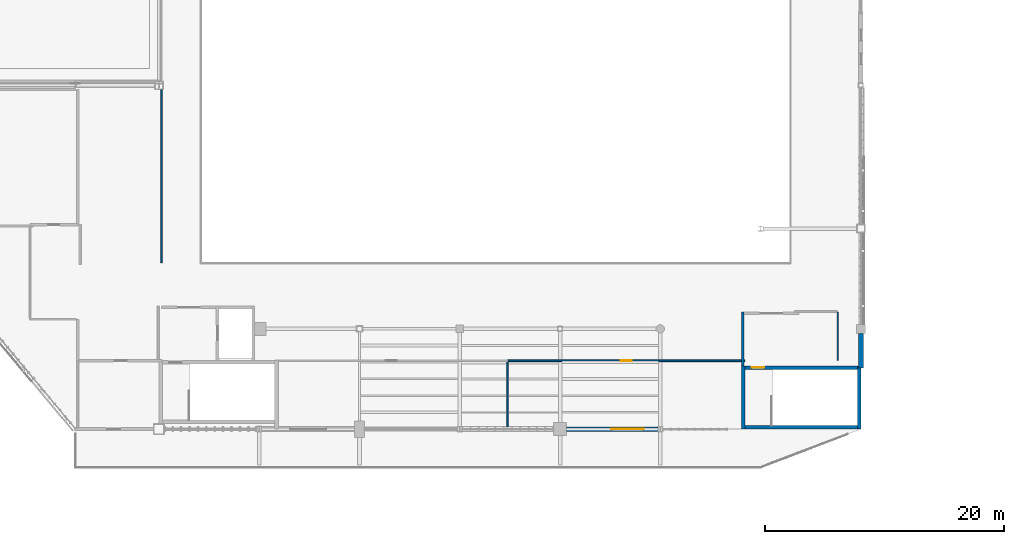
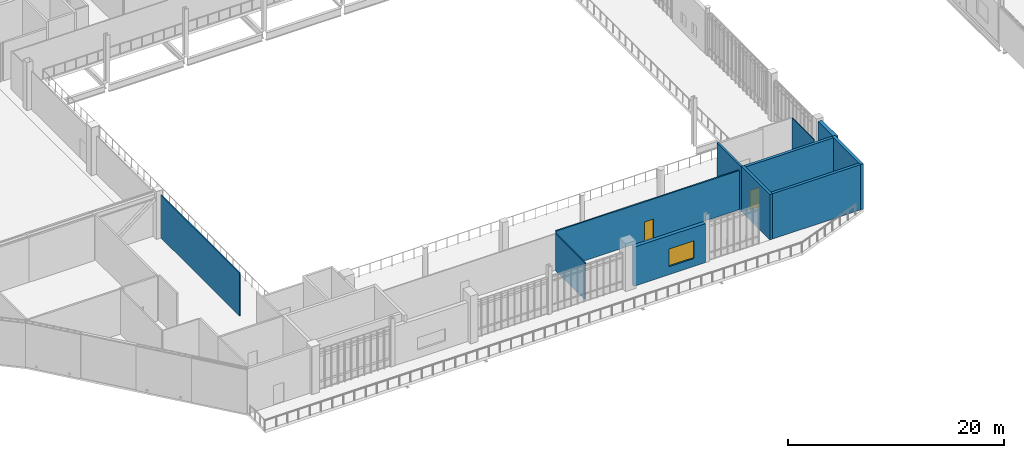
# One storey, part 113 of 135: 11 walls, 2 doors, 1 window, 3 openings.
"""IFC4 building model written with IfcOpenShell, lengths in metres."""

from ifc_helpers import new_model, si_unit, direction, frame, frame_2d, origin, place, context, subcontext, project, spatial, rectangle, extrude, material, layer, layer_set, type_object, element, fill, save


model = new_model("IFC4")

# Units and contexts
model_context = context("Model", 3, precision=1e-05, world=origin(), true_north=direction((0.0, 1.0)))
body_context = subcontext(model_context, "Body", "Model", "MODEL_VIEW")
ifc_project = project(units=[si_unit("LENGTHUNIT", "METRE"), si_unit("AREAUNIT", "SQUARE_METRE"), si_unit("VOLUMEUNIT", "CUBIC_METRE"), si_unit("PLANEANGLEUNIT", "RADIAN"), si_unit("MASSUNIT", "GRAM", prefix="KILO")], contexts=[model_context])

# Site, building, storey
site_placement = place(None, origin())
site = spatial("IfcSite", under=ifc_project, at=site_placement, CompositionType="ELEMENT")
building_placement = place(site_placement, origin())
building = spatial("IfcBuilding", under=site, at=building_placement, Name="Larkvane Passage Sports Hall", CompositionType="ELEMENT")
storey_placement = place(building_placement, frame((0.0, 0.0, 16.800048828125)))
storey = spatial("IfcBuildingStorey", under=building, at=storey_placement, Name="L03", CompositionType="ELEMENT", Elevation=16.800048828125)

# Walls
ifc_material_1 = material(Name="Concrete C50/60", Category="concrete")
ifc_layer_1 = layer(ifc_material_1, 0.300048828125)
ifc_layer_set_1 = layer_set([ifc_layer_1], Name="Concrete C50/60")
wall_type_1 = type_object("IfcWallType", Name="WL-CORE-300", PredefinedType="SHEAR", material=ifc_layer_set_1)
for number, where, z_axis, x_axis, name in (
    (1, (83.75, 22.800048828125, 0.0), (0.0, 0.0, 1.0), (0.0, 1.0, 0.0), "Core shear wall WAL-CORE-C4-L03-W"),
    (2, (93.449951171875, 28.10009765625, 0.0), (0.0, 0.0, 1.0), (0.0, -1.0, 0.0), "Core shear wall WAL-CORE-C4-L03-E"),
):
    element("IfcWall", number, at=place(storey_placement, frame(where, z_axis=z_axis, x_axis=x_axis)), inside=storey, type_object=wall_type_1, Name=name, PredefinedType="SHEAR", context=body_context, shape_type="SweptSolid", body=[
        extrude(rectangle(XDim=5.300048828125, YDim=0.300048828125, at=frame_2d((2.64990234375, 0.0))), origin(), (0.0, 0.0, 1.0), 5.119873046875),
    ])

# Wall, opening, door
wall_1_placement = place(storey_placement, frame((83.89990234375, 27.949951171875, 0.0), z_axis=(0.0, 0.0, 1.0), x_axis=(1.0, 0.0, 0.0)))
wall_1 = element("IfcWall", 3, at=wall_1_placement, inside=storey, type_object=wall_type_1, Name="Core shear wall WAL-CORE-C4-L03-N", PredefinedType="SHEAR", context=body_context, shape_type="SweptSolid", body=[
    extrude(rectangle(XDim=9.400146484375, YDim=0.300048828125, at=frame_2d((4.7001953125, 0.0))), origin(), (0.0, 0.0, 1.0), 5.119873046875),
])
opening_1_placement = place(wall_1_placement, frame((0.550048828125, 0.0, 0.0)))
opening_1 = element("IfcOpeningElement", 4, at=opening_1_placement, cuts=wall_1, Name="Opening DF-01", PredefinedType="OPENING", context=body_context, shape_type="SweptSolid", body=[
    extrude(rectangle(XDim=1.050048828125, YDim=2.199951171875, at=frame_2d((0.52490234375, 1.10009765625))), frame((0.0, 0.159912109375, 0.0), z_axis=(0.0, -1.0, 0.0), x_axis=(1.0, 0.0, 0.0)), (0.0, 0.0, 1.0), 0.320068359375),
])
ifc_material_2 = material(Name="Steel S355JR smoke-sealed fire door", Category="steel")
door_type_1 = type_object("IfcDoorType", Name="DR-FIRE-1050", OperationType="NOTDEFINED", PredefinedType="DOOR", material=ifc_material_2)
door_1_placement = place(opening_1_placement, origin())
door_1 = element("IfcDoor", 5, at=door_1_placement, inside=storey, type_object=door_type_1, Name="Stair ST-04 L03 fire door", OperationType="SINGLE_SWING_LEFT", OverallHeight=2.199951171875, OverallWidth=1.050048828125, PredefinedType="DOOR", context=body_context, shape_type="SweptSolid", body=[
    extrude(rectangle(XDim=1.050048828125, YDim=2.199951171875, at=frame_2d((0.52490234375, 1.10009765625))), frame((0.0, 0.02490234375, 0.0), z_axis=(0.0, -1.0, 0.0), x_axis=(1.0, 0.0, 0.0)), (0.0, 0.0, 1.0), 0.050048828125),
])
fill(opening_1, door_1)

# Wall
ifc_layer_2 = layer(ifc_material_1, 0.300048828125)
ifc_layer_set_2 = layer_set([ifc_layer_2], Name="Concrete C50/60")
wall_type_2 = type_object("IfcWallType", Name="WL-CORE-EXT-300", PredefinedType="SHEAR", material=ifc_layer_set_2)
wall_2_placement = place(storey_placement, frame((93.300048828125, 22.949951171875, 0.0), z_axis=(0.0, 0.0, 1.0), x_axis=(-1.0, 0.0, 0.0)))
element("IfcWall", 6, at=wall_2_placement, inside=storey, type_object=wall_type_2, Name="Core shear wall WAL-CORE-C4-L03-S", PredefinedType="SHEAR", context=body_context, shape_type="SweptSolid", body=[
    extrude(rectangle(XDim=9.400146484375, YDim=0.300048828125, at=frame_2d((4.7001953125, 0.0))), origin(), (0.0, 0.0, 1.0), 5.119873046875),
])

# Wall, opening, window
ifc_material_3 = material(Name="Concrete C40/50", Category="concrete")
ifc_layer_3 = layer(ifc_material_3, 0.385009765625)
ifc_layer_set_3 = layer_set([ifc_layer_3], Name="Concrete C40/50")
wall_type_3 = type_object("IfcWallType", Name="WL-EXT-385", PredefinedType="SOLIDWALL", material=ifc_layer_set_3)
wall_3_placement = place(storey_placement, frame((76.6015625, 22.800048828125, 0.0), z_axis=(0.0, 0.0, 1.0), x_axis=(-1.0, 0.0, 0.0)))
wall_3 = element("IfcWall", 7, at=wall_3_placement, inside=storey, type_object=wall_type_3, Name="Exterior wall WAL-EXT-L03-181", PredefinedType="SOLIDWALL", context=body_context, shape_type="SweptSolid", body=[
    extrude(rectangle(XDim=7.655517578125, YDim=0.385009765625, at=frame_2d((3.82763671875, 0.0))), origin(), (0.0, 0.0, 1.0), 4.419921875),
])
opening_2_placement = place(wall_3_placement, frame((1.201904296875, 0.0, 0.89990234375)))
opening_2 = element("IfcOpeningElement", 8, at=opening_2_placement, cuts=wall_3, Name="Opening W-05", PredefinedType="OPENING", context=body_context, shape_type="SweptSolid", body=[
    extrude(rectangle(XDim=2.699951171875, YDim=2.0, at=frame_2d((1.35009765625, 1.0))), frame((0.0, 0.202392578125, 0.0), z_axis=(0.0, -1.0, 0.0), x_axis=(1.0, 0.0, 0.0)), (0.0, 0.0, 1.0), 0.405029296875),
])
ifc_material_4 = material(Name="Thermally broken aluminium and laminated low-E glass", Category="aluminium")
window_type = type_object("IfcWindowType", Name="WN-FIX-2700x2000", PartitioningType="TRIPLE_PANEL_VERTICAL", PredefinedType="WINDOW", material=ifc_material_4)
window_placement = place(opening_2_placement, origin())
window = element("IfcWindow", 9, at=window_placement, inside=storey, type_object=window_type, Name="Window L03-077", OverallHeight=2.0, OverallWidth=2.699951171875, PartitioningType="TRIPLE_PANEL_VERTICAL", PredefinedType="WINDOW", context=body_context, shape_type="SweptSolid", body=[
    extrude(rectangle(XDim=2.699951171875, YDim=2.0, at=frame_2d((1.35009765625, 1.0))), frame((0.0, 0.030029296875, 0.0), z_axis=(0.0, -1.0, 0.0), x_axis=(1.0, 0.0, 0.0)), (0.0, 0.0, 1.0), 0.06005859375),
])
fill(opening_2, window)

# Walls
ifc_layer_4 = layer(ifc_material_3, 0.425048828125)
ifc_layer_set_4 = layer_set([ifc_layer_4], Name="Concrete C40/50")
wall_type_4 = type_object("IfcWallType", Name="WL-EXT-425", PredefinedType="SOLIDWALL", material=ifc_layer_set_4)
wall_4_placement = place(storey_placement, frame((93.60009765625, 30.8291015625, 0.0), z_axis=(0.0, 0.0, 1.0), x_axis=(0.0, -1.0, 0.0)))
element("IfcWall", 10, at=wall_4_placement, inside=storey, type_object=wall_type_4, Name="Exterior wall WAL-EXT-L03-206", PredefinedType="SOLIDWALL", context=body_context, shape_type="SweptSolid", body=[
    extrude(rectangle(XDim=2.923095703125, YDim=0.425048828125, at=frame_2d((1.46142578125, 0.0))), origin(), (0.0, 0.0, 1.0), 5.099853515625),
])
ifc_layer_5 = layer(ifc_material_3, 0.199951171875)
ifc_layer_set_5 = layer_set([ifc_layer_5], Name="Concrete C40/50")
wall_type_5 = type_object("IfcWallType", Name="WL-LOBBY-200", PredefinedType="SOLIDWALL", material=ifc_layer_set_5)
wall_5_placement = place(storey_placement, frame((83.699951171875, 28.10009765625, 0.0), z_axis=(0.0, 0.0, 1.0), x_axis=(0.0, 1.0, 0.0)))
element("IfcWall", 11, at=wall_5_placement, inside=storey, type_object=wall_type_5, Name="Lobby side wall C4 L03", PredefinedType="SOLIDWALL", context=body_context, shape_type="SweptSolid", body=[
    extrude(rectangle(XDim=4.5, YDim=0.199951171875, at=frame_2d((2.25, 0.0))), origin(), (0.0, 0.0, 1.0), 5.050048828125),
])
ifc_material_5 = material(Name="Gypsum twin-stud acoustic partition")
ifc_layer_6 = layer(ifc_material_5, 0.10009765625)
ifc_layer_set_6 = layer_set([ifc_layer_6], Name="Gypsum twin-stud acoustic partition")
wall_type_6 = type_object("IfcWallType", Name="WL-PART-100", PredefinedType="PARTITIONING", material=ifc_layer_set_6)
wall_6_placement = place(storey_placement, frame((91.659912109375, 28.550048828125, 0.0), z_axis=(0.0, 0.0, 1.0), x_axis=(0.0, 1.0, 0.0)))
element("IfcWall", 12, at=wall_6_placement, inside=storey, type_object=wall_type_6, Name="Interior partition WAL-PART-L03-0353", PredefinedType="PARTITIONING", context=body_context, shape_type="SweptSolid", body=[
    extrude(rectangle(XDim=4.050048828125, YDim=0.10009765625, at=frame_2d((2.02490234375, 0.0))), origin(), (0.0, 0.0, 1.0), 5.050048828125),
])
ifc_material_6 = material(Name="Gypsum twin-stud fire-rated partition")
ifc_layer_7 = layer(ifc_material_6, 0.125)
ifc_layer_set_7 = layer_set([ifc_layer_7], Name="Gypsum twin-stud fire-rated partition")
wall_type_7 = type_object("IfcWallType", Name="WL-PART-125", PredefinedType="PARTITIONING", material=ifc_layer_set_7)
wall_7_placement = place(storey_placement, frame((64.0, 28.409912109375, 0.0), z_axis=(0.0, 0.0, 1.0), x_axis=(0.0, -1.0, 0.0)))
element("IfcWall", 13, at=wall_7_placement, inside=storey, type_object=wall_type_7, Name="Interior partition WAL-PART-L03-0310", PredefinedType="PARTITIONING", context=body_context, shape_type="SweptSolid", body=[
    extrude(rectangle(XDim=5.429931640625, YDim=0.125, at=frame_2d((2.71484375, 0.0))), origin(), (0.0, 0.0, 1.0), 4.159912109375),
])
wall_8_placement = place(storey_placement, frame((35.0, 36.719970703125, 0.0), z_axis=(0.0, 0.0, 1.0), x_axis=(0.0, 1.0, 0.0)))
element("IfcWall", 14, at=wall_8_placement, inside=storey, type_object=wall_type_7, Name="Interior partition WAL-PART-L03-0366", PredefinedType="PARTITIONING", context=body_context, shape_type="SweptSolid", body=[
    extrude(rectangle(XDim=14.60595703125, YDim=0.125, at=frame_2d((7.302978515625, 0.0))), origin(), (0.0, 0.0, 1.0), 4.843017578125),
])

# Wall, opening, door
ifc_material_7 = material(Name="Gypsum acoustic partition")
ifc_layer_8 = layer(ifc_material_7, 0.14990234375)
ifc_layer_set_8 = layer_set([ifc_layer_8], Name="Gypsum acoustic partition")
wall_type_8 = type_object("IfcWallType", Name="WL-PART-150", PredefinedType="PARTITIONING", material=ifc_layer_set_8)
wall_9_placement = place(storey_placement, frame((64.02001953125, 28.530029296875, 0.0), z_axis=(0.0, 0.0, 1.0), x_axis=(1.0, 0.0, 0.0)))
wall_9 = element("IfcWall", 15, at=wall_9_placement, inside=storey, type_object=wall_type_8, Name="Interior partition WAL-PART-L03-0311", PredefinedType="PARTITIONING", context=body_context, shape_type="SweptSolid", body=[
    extrude(rectangle(XDim=19.840087890625, YDim=0.14990234375, at=frame_2d((9.919921875, 0.0))), origin(), (0.0, 0.0, 1.0), 4.421875),
])
opening_3_placement = place(wall_9_placement, frame((9.4599609375, 0.0, 0.0)))
opening_3 = element("IfcOpeningElement", 16, at=opening_3_placement, cuts=wall_9, Name="Opening DI-02", PredefinedType="OPENING", context=body_context, shape_type="SweptSolid", body=[
    extrude(rectangle(XDim=0.919921875, YDim=2.14990234375, at=frame_2d((0.4599609375, 1.074951171875))), frame((0.0, 0.0849609375, 0.0), z_axis=(0.0, -1.0, 0.0), x_axis=(1.0, 0.0, 0.0)), (0.0, 0.0, 1.0), 0.169921875),
])
ifc_material_8 = material(Name="Moisture-resistant laminate room door")
door_type_2 = type_object("IfcDoorType", Name="DR-INT-900", OperationType="NOTDEFINED", PredefinedType="DOOR", material=ifc_material_8)
door_2_placement = place(opening_3_placement, origin())
door_2 = element("IfcDoor", 17, at=door_2_placement, inside=storey, type_object=door_type_2, Name="Interior door L03-0091", OperationType="SINGLE_SWING_LEFT", OverallHeight=2.14990234375, OverallWidth=0.919921875, PredefinedType="DOOR", context=body_context, shape_type="SweptSolid", body=[
    extrude(rectangle(XDim=0.919921875, YDim=2.14990234375, at=frame_2d((0.4599609375, 1.074951171875))), frame((0.0, 0.02490234375, 0.0), z_axis=(0.0, -1.0, 0.0), x_axis=(1.0, 0.0, 0.0)), (0.0, 0.0, 1.0), 0.050048828125),
])
fill(opening_3, door_2)

save(model, "model.ifc")
